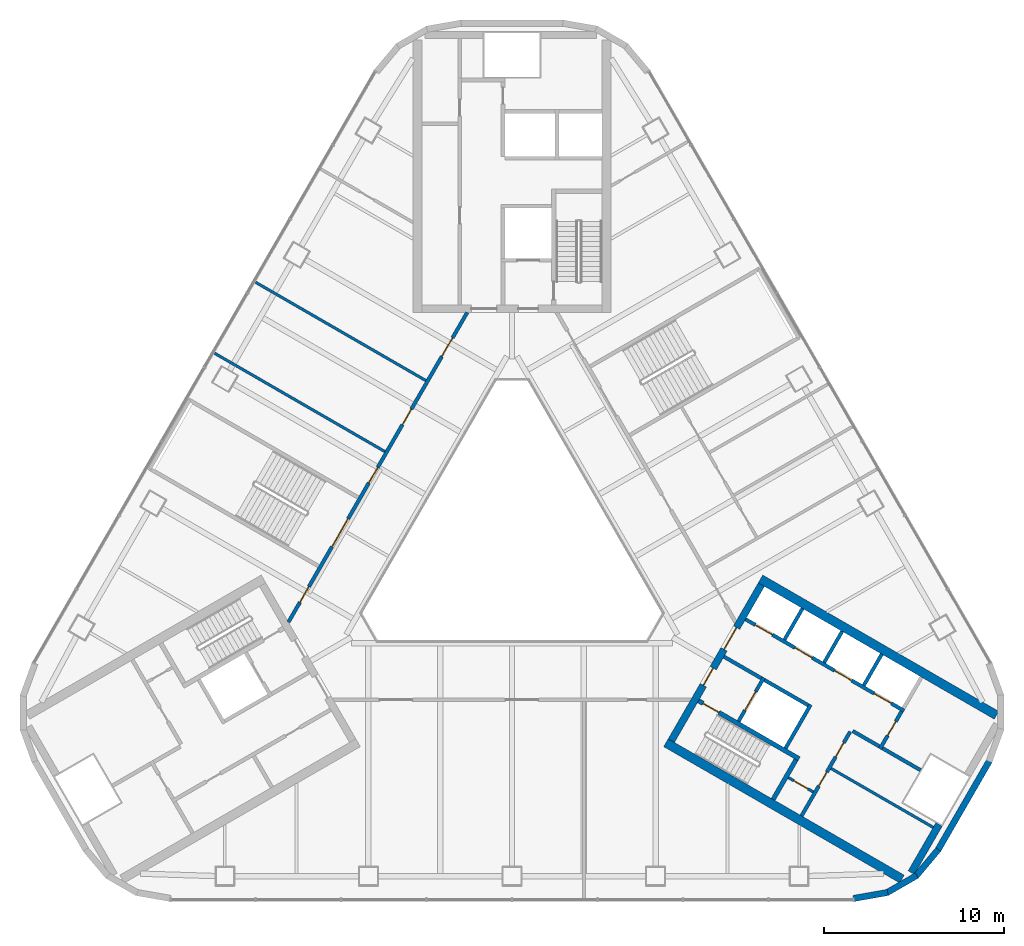
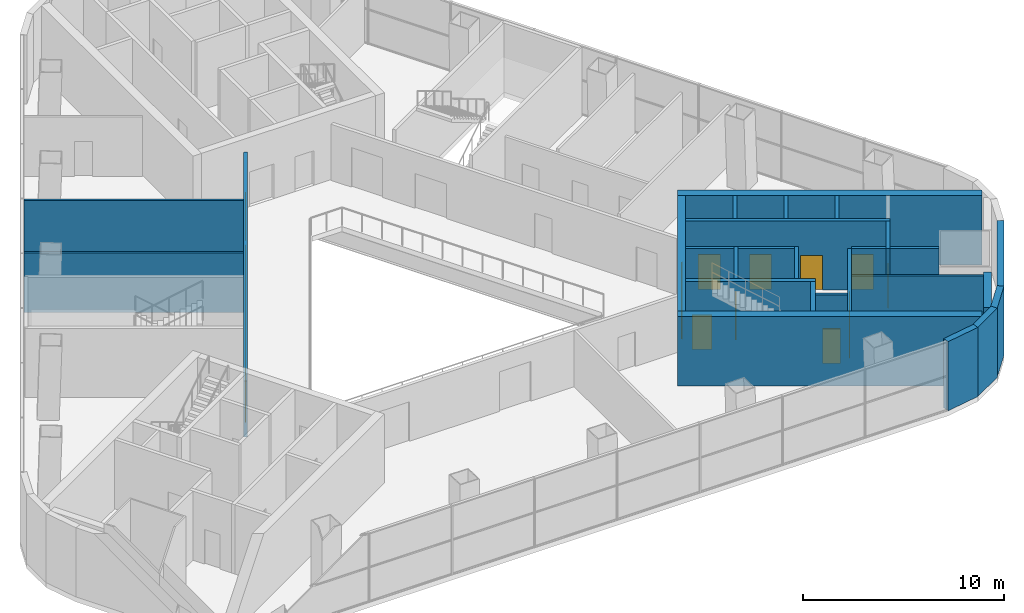
# One storey, part 8 of 12: 27 walls, 17 doors, 17 openings.
"""IFC4 building model written with IfcOpenShell, lengths in metres."""

from ifc_helpers import new_model, si_unit, direction, frame, frame_2d, origin, place, context, subcontext, project, spatial, rectangle, extrude, material, layer, layer_set, type_object, element, fill, save


model = new_model("IFC4")

# Units and contexts
model_context = context("Model", 3, precision=1e-05, world=origin(), true_north=direction((0.0, 1.0)))
body_context = subcontext(model_context, "Body", "Model", "MODEL_VIEW")
ifc_project = project(units=[si_unit("LENGTHUNIT", "METRE"), si_unit("AREAUNIT", "SQUARE_METRE"), si_unit("VOLUMEUNIT", "CUBIC_METRE"), si_unit("PLANEANGLEUNIT", "RADIAN"), si_unit("MASSUNIT", "GRAM", prefix="KILO")], contexts=[model_context])

# Site, building, storey
site_placement = place(None, origin())
site = spatial("IfcSite", under=ifc_project, at=site_placement, CompositionType="ELEMENT")
building_placement = place(site_placement, origin())
building = spatial("IfcBuilding", under=site, at=building_placement, Name="Apuvela Tower Hotel", CompositionType="ELEMENT")
storey_placement = place(building_placement, frame((0.0, 0.0, 28.5)))
storey = spatial("IfcBuildingStorey", under=building, at=storey_placement, Name="L04", CompositionType="ELEMENT", Elevation=28.5)

# Wall, openings, doors
ifc_material_1 = material(Name="Concrete C50/60", Category="concrete")
ifc_layer_1 = layer(ifc_material_1, 0.39990234375)
ifc_layer_set_1 = layer_set([ifc_layer_1], Name="COR-WALL-CORE-400")
wall_type_1 = type_object("IfcWallType", Name="COR-WALL-CORE-400", PredefinedType="SHEAR", material=ifc_layer_set_1)
wall_1_placement = place(storey_placement, frame((8.844970703125, -10.880126953125, 0.0), z_axis=(0.0, 0.0, 1.0), x_axis=(0.500004234368, 0.866022959057, 0.0)))
wall_1 = element("IfcWall", 1, at=wall_1_placement, inside=storey, type_object=wall_type_1, Name="Core wall SE", PredefinedType="SHEAR", context=body_context, shape_type="SweptSolid", body=[
    extrude(rectangle(XDim=10.0, YDim=0.39990234375, at=frame_2d((5.0, 0.0))), origin(), (0.0, 0.0, 1.0), 4.199951171875),
])
opening_1_placement = place(wall_1_placement, frame((3.550048828125, 0.0, 0.0)))
opening_1 = element("IfcOpeningElement", 2, at=opening_1_placement, cuts=wall_1, Name="Opening E-FD", PredefinedType="OPENING", context=body_context, shape_type="SweptSolid", body=[
    extrude(rectangle(XDim=1.10009765625, YDim=2.10009765625, at=frame_2d((0.550048828125, 1.050048828125))), frame((0.0, 0.2099609375, 0.0), z_axis=(0.0, -1.0, 0.0), x_axis=(1.0, 0.0, 0.0)), (0.0, 0.0, 1.0), 0.419921875),
])
opening_2_placement = place(wall_1_placement, frame((5.85009765625, 0.0, 0.0)))
opening_2 = element("IfcOpeningElement", 3, at=opening_2_placement, cuts=wall_1, Name="Opening E-GD", PredefinedType="OPENING", context=body_context, shape_type="SweptSolid", body=[
    extrude(rectangle(XDim=1.39990234375, YDim=2.10009765625, at=frame_2d((0.699951171875, 1.050048828125))), frame((0.0, 0.2099609375, 0.0), z_axis=(0.0, -1.0, 0.0), x_axis=(1.0, 0.0, 0.0)), (0.0, 0.0, 1.0), 0.419921875),
])
ifc_material_2 = material(Name="Steel fire door, powder coated", Category="steel")
door_type_1 = type_object("IfcDoorType", Name="COR-FD-1100", OperationType="NOTDEFINED", PredefinedType="DOOR", material=ifc_material_2)
door_1_placement = place(opening_1_placement, frame((1.10009765625, 0.0, 0.0), z_axis=(0.0, 0.0, 1.0), x_axis=(-1.0, 0.0, 0.0)))
door_1 = element("IfcDoor", 4, at=door_1_placement, inside=storey, type_object=door_type_1, Name="Firefighting lobby door E-FD", OperationType="SINGLE_SWING_LEFT", OverallHeight=2.10009765625, OverallWidth=1.10009765625, PredefinedType="DOOR", context=body_context, shape_type="SweptSolid", body=[
    extrude(rectangle(XDim=1.10009765625, YDim=2.10009765625, at=frame_2d((0.550048828125, 1.050048828125))), frame((0.0, 0.02490234375, 0.0), z_axis=(0.0, -1.0, 0.0), x_axis=(1.0, 0.0, 0.0)), (0.0, 0.0, 1.0), 0.050048828125),
])
fill(opening_1, door_1)
ifc_material_3 = material(Name="Glazed steel fire door", Category="steel")
door_type_2 = type_object("IfcDoorType", Name="COR-GD-1400", OperationType="DOUBLE_DOOR_SINGLE_SWING", PredefinedType="DOOR", material=ifc_material_3)
door_2_placement = place(opening_2_placement, frame((1.39990234375, 0.0, 0.0), z_axis=(0.0, 0.0, 1.0), x_axis=(-1.0, 0.0, 0.0)))
door_2 = element("IfcDoor", 5, at=door_2_placement, inside=storey, type_object=door_type_2, Name="Lift lobby door E-GD", OperationType="DOUBLE_DOOR_SINGLE_SWING", OverallHeight=2.10009765625, OverallWidth=1.39990234375, PredefinedType="DOOR", context=body_context, shape_type="SweptSolid", body=[
    extrude(rectangle(XDim=1.39990234375, YDim=2.10009765625, at=frame_2d((0.699951171875, 1.050048828125))), frame((0.0, 0.02490234375, 0.0), z_axis=(0.0, -1.0, 0.0), x_axis=(1.0, 0.0, 0.0)), (0.0, 0.0, 1.0), 0.050048828125),
])
fill(opening_2, door_2)

# Walls
wall_2_placement = place(storey_placement, frame((22.16845703125, -18.202880859375, 0.0), z_axis=(0.0, 0.0, 1.0), x_axis=(0.500026652407, 0.866010015463, 0.0)))
element("IfcWall", 6, at=wall_2_placement, inside=storey, type_object=wall_type_1, Name="Core wall SE", PredefinedType="SHEAR", context=body_context, shape_type="SweptSolid", body=[
    extrude(rectangle(XDim=3.079833984375, YDim=0.39990234375, at=frame_2d((1.5400390625, 0.0))), origin(), (0.0, 0.0, 1.0), 4.199951171875),
])
ifc_layer_2 = layer(ifc_material_1, 0.5)
ifc_layer_set_2 = layer_set([ifc_layer_2], Name="COR-WALL-CORE-500")
wall_type_2 = type_object("IfcWallType", Name="COR-WALL-CORE-500", PredefinedType="SHEAR", material=ifc_layer_set_2)
for number, where, z_axis, x_axis, name in (
    (7, (8.546630859375, -10.99658203125, 0.0), (0.0, 0.0, 1.0), (0.866025168306, -0.500000407861, 0.0), "Core wall SE"),
    (8, (13.796630859375, -1.9033203125, 0.0), (0.0, 0.0, 1.0), (0.866025168306, -0.500000407861, 0.0), "Core wall SE"),
):
    element("IfcWall", number, at=place(storey_placement, frame(where, z_axis=z_axis, x_axis=x_axis)), inside=storey, type_object=wall_type_2, Name=name, PredefinedType="SHEAR", context=body_context, shape_type="SweptSolid", body=[
        extrude(rectangle(XDim=15.13037109375, YDim=0.5, at=frame_2d((7.565185546875, 0.0))), origin(), (0.0, 0.0, 1.0), 4.199951171875),
    ])

# Wall, opening, door
ifc_material_4 = material(Name="Blockwork 150 mm plastered", Category="masonry")
ifc_layer_3 = layer(ifc_material_4, 0.14990234375)
ifc_layer_set_3 = layer_set([ifc_layer_3], Name="COR-WALL-PART-150")
wall_type_3 = type_object("IfcWallType", Name="COR-WALL-PART-150", PredefinedType="PARTITIONING", material=ifc_layer_set_3)
wall_3_placement = place(storey_placement, frame((15.341552734375, -12.927734375, 0.0), z_axis=(0.0, 0.0, 1.0), x_axis=(0.865989903783, -0.500061482766, 0.0)))
wall_3 = element("IfcWall", 9, at=wall_3_placement, inside=storey, type_object=wall_type_3, Name="Partition SE", PredefinedType="PARTITIONING", context=body_context, shape_type="SweptSolid", body=[
    extrude(rectangle(XDim=1.599853515625, YDim=0.14990234375, at=frame_2d((0.7998046875, 0.0))), origin(), (0.0, 0.0, 1.0), 4.199951171875),
])
opening_3_placement = place(wall_3_placement, frame((0.35009765625, 0.0, 0.0)))
opening_3 = element("IfcOpeningElement", 10, at=opening_3_placement, cuts=wall_3, Name="Opening E-RD", PredefinedType="OPENING", context=body_context, shape_type="SweptSolid", body=[
    extrude(rectangle(XDim=0.89990234375, YDim=2.10009765625, at=frame_2d((0.449951171875, 1.050048828125))), frame((0.0, 0.0849609375, 0.0), z_axis=(0.0, -1.0, 0.0), x_axis=(1.0, 0.0, 0.0)), (0.0, 0.0, 1.0), 0.169921875),
])
ifc_material_5 = material(Name="Steel access door, powder coated", Category="steel")
door_type_3 = type_object("IfcDoorType", Name="COR-RD-900", OperationType="NOTDEFINED", PredefinedType="DOOR", material=ifc_material_5)
door_3_placement = place(opening_3_placement, frame((0.89990234375, 0.0, 0.0), z_axis=(0.0, 0.0, 1.0), x_axis=(-1.0, 0.0, 0.0)))
door_3 = element("IfcDoor", 11, at=door_3_placement, inside=storey, type_object=door_type_3, Name="Riser door E-RD", OperationType="SINGLE_SWING_LEFT", OverallHeight=2.10009765625, OverallWidth=0.89990234375, PredefinedType="DOOR", context=body_context, shape_type="SweptSolid", body=[
    extrude(rectangle(XDim=0.89990234375, YDim=2.10009765625, at=frame_2d((0.449951171875, 1.050048828125))), frame((0.0, 0.02490234375, 0.0), z_axis=(0.0, -1.0, 0.0), x_axis=(1.0, 0.0, 0.0)), (0.0, 0.0, 1.0), 0.050048828125),
])
fill(opening_3, door_3)

# Wall
wall_4_placement = place(storey_placement, frame((17.712890625, -12.42041015625, 0.0), z_axis=(0.0, 0.0, 1.0), x_axis=(0.866027924134, -0.499995634601, 0.0)))
element("IfcWall", 12, at=wall_4_placement, inside=storey, type_object=wall_type_3, Name="Partition SE", PredefinedType="PARTITIONING", context=body_context, shape_type="SweptSolid", body=[
    extrude(rectangle(XDim=6.5498046875, YDim=0.14990234375, at=frame_2d((3.27490234375, 0.0))), origin(), (0.0, 0.0, 1.0), 4.199951171875),
])

# Wall, openings, doors
ifc_material_6 = material(Name="Blockwork 200 mm plastered", Category="masonry")
ifc_layer_4 = layer(ifc_material_6, 0.199951171875)
ifc_layer_set_4 = layer_set([ifc_layer_4], Name="COR-WALL-PART-200")
wall_type_4 = type_object("IfcWallType", Name="COR-WALL-PART-200", PredefinedType="PARTITIONING", material=ifc_layer_set_4)
wall_5_placement = place(storey_placement, frame((16.076171875, -15.05517578125, 0.0), z_axis=(0.0, 0.0, 1.0), x_axis=(0.499995103361, 0.866028230842, 0.0)))
wall_5 = element("IfcWall", 13, at=wall_5_placement, inside=storey, type_object=wall_type_4, Name="Partition SE", PredefinedType="PARTITIONING", context=body_context, shape_type="SweptSolid", body=[
    extrude(rectangle(XDim=5.39990234375, YDim=0.199951171875, at=frame_2d((2.699951171875, 0.0))), origin(), (0.0, 0.0, 1.0), 4.199951171875),
])
opening_4_placement = place(wall_5_placement, frame((1.91259765625, 0.0, 0.0)))
opening_4 = element("IfcOpeningElement", 14, at=opening_4_placement, cuts=wall_5, Name="Opening E-RS1", PredefinedType="OPENING", context=body_context, shape_type="SweptSolid", body=[
    extrude(rectangle(XDim=0.89990234375, YDim=2.10009765625, at=frame_2d((0.449951171875, 1.050048828125))), frame((0.0, 0.10986328125, 0.0), z_axis=(0.0, -1.0, 0.0), x_axis=(1.0, 0.0, 0.0)), (0.0, 0.0, 1.0), 0.219970703125),
])
opening_5_placement = place(wall_5_placement, frame((3.78759765625, 0.0, 0.0)))
opening_5 = element("IfcOpeningElement", 15, at=opening_5_placement, cuts=wall_5, Name="Opening E-RS2", PredefinedType="OPENING", context=body_context, shape_type="SweptSolid", body=[
    extrude(rectangle(XDim=0.89990234375, YDim=2.10009765625, at=frame_2d((0.449951171875, 1.050048828125))), frame((0.0, 0.10986328125, 0.0), z_axis=(0.0, -1.0, 0.0), x_axis=(1.0, 0.0, 0.0)), (0.0, 0.0, 1.0), 0.219970703125),
])
door_type_4 = type_object("IfcDoorType", Name="COR-DR-900", OperationType="NOTDEFINED", PredefinedType="DOOR", material=ifc_material_2)
door_4_placement = place(opening_4_placement, frame((0.89990234375, 0.0, 0.0), z_axis=(0.0, 0.0, 1.0), x_axis=(-1.0, 0.0, 0.0)))
door_4 = element("IfcDoor", 16, at=door_4_placement, inside=storey, type_object=door_type_4, Name="Store door E-RS1", OperationType="SINGLE_SWING_LEFT", OverallHeight=2.10009765625, OverallWidth=0.89990234375, PredefinedType="DOOR", context=body_context, shape_type="SweptSolid", body=[
    extrude(rectangle(XDim=0.89990234375, YDim=2.10009765625, at=frame_2d((0.449951171875, 1.050048828125))), frame((0.0, 0.02490234375, 0.0), z_axis=(0.0, -1.0, 0.0), x_axis=(1.0, 0.0, 0.0)), (0.0, 0.0, 1.0), 0.050048828125),
])
fill(opening_4, door_4)
door_5_placement = place(opening_5_placement, frame((0.89990234375, 0.0, 0.0), z_axis=(0.0, 0.0, 1.0), x_axis=(-1.0, 0.0, 0.0)))
door_5 = element("IfcDoor", 17, at=door_5_placement, inside=storey, type_object=door_type_4, Name="Store door E-RS2", OperationType="SINGLE_SWING_LEFT", OverallHeight=2.10009765625, OverallWidth=0.89990234375, PredefinedType="DOOR", context=body_context, shape_type="SweptSolid", body=[
    extrude(rectangle(XDim=0.89990234375, YDim=2.10009765625, at=frame_2d((0.449951171875, 1.050048828125))), frame((0.0, 0.02490234375, 0.0), z_axis=(0.0, -1.0, 0.0), x_axis=(1.0, 0.0, 0.0)), (0.0, 0.0, 1.0), 0.050048828125),
])
fill(opening_5, door_5)

# Wall
ifc_layer_5 = layer(ifc_material_1, 0.199951171875)
ifc_layer_set_5 = layer_set([ifc_layer_5], Name="COR-WALL-SHAFT-200")
wall_type_5 = type_object("IfcWallType", Name="COR-WALL-SHAFT-200", PredefinedType="SHEAR", material=ifc_layer_set_5)
wall_6_placement = place(storey_placement, frame((15.181396484375, -11.305419921875, 0.0), z_axis=(0.0, 0.0, 1.0), x_axis=(0.49994636267, 0.866056369097, 0.0)))
element("IfcWall", 18, at=wall_6_placement, inside=storey, type_object=wall_type_5, Name="Shaft wall SE", PredefinedType="SHEAR", context=body_context, shape_type="SweptSolid", body=[
    extrude(rectangle(XDim=2.800048828125, YDim=0.199951171875, at=frame_2d((1.39990234375, 0.0))), origin(), (0.0, 0.0, 1.0), 4.199951171875),
])

# Wall, opening, door
wall_7_placement = place(storey_placement, frame((12.583251953125, -9.805419921875, 0.0), z_axis=(0.0, 0.0, 1.0), x_axis=(0.49994636267, 0.866056369097, 0.0)))
wall_7 = element("IfcWall", 19, at=wall_7_placement, inside=storey, type_object=wall_type_5, Name="Shaft wall SE", PredefinedType="SHEAR", context=body_context, shape_type="SweptSolid", body=[
    extrude(rectangle(XDim=2.800048828125, YDim=0.199951171875, at=frame_2d((1.39990234375, 0.0))), origin(), (0.0, 0.0, 1.0), 4.199951171875),
])
opening_6_placement = place(wall_7_placement, frame((0.699951171875, 0.0, 0.0)))
opening_6 = element("IfcOpeningElement", 20, at=opening_6_placement, cuts=wall_7, Name="Opening E-LD-FS3", PredefinedType="OPENING", context=body_context, shape_type="SweptSolid", body=[
    extrude(rectangle(XDim=1.199951171875, YDim=2.10009765625, at=frame_2d((0.60009765625, 1.050048828125))), frame((0.0, 0.10986328125, 0.0), z_axis=(0.0, -1.0, 0.0), x_axis=(1.0, 0.0, 0.0)), (0.0, 0.0, 1.0), 0.219970703125),
])
ifc_material_7 = material(Name="Stainless steel lift landing door", Category="steel")
door_type_5 = type_object("IfcDoorType", Name="COR-LD-1200", OperationType="DOUBLE_DOOR_SLIDING", PredefinedType="DOOR", material=ifc_material_7)
door_6_placement = place(opening_6_placement, origin())
door_6 = element("IfcDoor", 21, at=door_6_placement, inside=storey, type_object=door_type_5, Name="Lift landing door E-LD-FS3", OperationType="DOUBLE_DOOR_SLIDING", OverallHeight=2.10009765625, OverallWidth=1.199951171875, PredefinedType="DOOR", context=body_context, shape_type="SweptSolid", body=[
    extrude(rectangle(XDim=1.199951171875, YDim=2.10009765625, at=frame_2d((0.60009765625, 1.050048828125))), frame((0.0, 0.02490234375, 0.0), z_axis=(0.0, -1.0, 0.0), x_axis=(1.0, 0.0, 0.0)), (0.0, 0.0, 1.0), 0.050048828125),
])
fill(opening_6, door_6)

# Walls
wall_8_placement = place(storey_placement, frame((11.76806640625, -6.217041015625, 0.0), z_axis=(0.0, 0.0, 1.0), x_axis=(0.866050077142, -0.499957262057, 0.0)))
element("IfcWall", 22, at=wall_8_placement, inside=storey, type_object=wall_type_5, Name="Shaft wall SE", PredefinedType="SHEAR", context=body_context, shape_type="SweptSolid", body=[
    extrude(rectangle(XDim=2.400146484375, YDim=0.199951171875, at=frame_2d((1.2001953125, 0.0))), origin(), (0.0, 0.0, 1.0), 4.199951171875),
])
wall_9_placement = place(storey_placement, frame((14.019775390625, -7.51708984375, 0.0), z_axis=(0.0, 0.0, 1.0), x_axis=(0.866034573852, -0.49998411664, 0.0)))
element("IfcWall", 23, at=wall_9_placement, inside=storey, type_object=wall_type_5, Name="Shaft wall SE", PredefinedType="SHEAR", context=body_context, shape_type="SweptSolid", body=[
    extrude(rectangle(XDim=2.7998046875, YDim=0.199951171875, at=frame_2d((1.39990234375, 0.0))), origin(), (0.0, 0.0, 1.0), 4.199951171875),
])

# Wall, openings, doors
wall_10_placement = place(storey_placement, frame((12.968017578125, -4.138427734375, 0.0), z_axis=(0.0, 0.0, 1.0), x_axis=(0.866028328073, -0.49999493495, 0.0)))
wall_10 = element("IfcWall", 24, at=wall_10_placement, inside=storey, type_object=wall_type_5, Name="Shaft wall SE", PredefinedType="SHEAR", context=body_context, shape_type="SweptSolid", body=[
    extrude(rectangle(XDim=10.16015625, YDim=0.199951171875, at=frame_2d((5.080078125, 0.0))), origin(), (0.0, 0.0, 1.0), 4.199951171875),
])
opening_7_placement = place(wall_10_placement, frame((0.6201171875, 0.0, 0.0)))
opening_7 = element("IfcOpeningElement", 25, at=opening_7_placement, cuts=wall_10, Name="Opening E-LD-LR1", PredefinedType="OPENING", context=body_context, shape_type="SweptSolid", body=[
    extrude(rectangle(XDim=1.10009765625, YDim=2.10009765625, at=frame_2d((0.550048828125, 1.050048828125))), frame((0.0, 0.10986328125, 0.0), z_axis=(0.0, -1.0, 0.0), x_axis=(1.0, 0.0, 0.0)), (0.0, 0.0, 1.0), 0.219970703125),
])
opening_8_placement = place(wall_10_placement, frame((3.159912109375, 0.0, 0.0)))
opening_8 = element("IfcOpeningElement", 26, at=opening_8_placement, cuts=wall_10, Name="Opening E-LD-LR2", PredefinedType="OPENING", context=body_context, shape_type="SweptSolid", body=[
    extrude(rectangle(XDim=1.10009765625, YDim=2.10009765625, at=frame_2d((0.550048828125, 1.050048828125))), frame((0.0, 0.10986328125, 0.0), z_axis=(0.0, -1.0, 0.0), x_axis=(1.0, 0.0, 0.0)), (0.0, 0.0, 1.0), 0.219970703125),
])
opening_9_placement = place(wall_10_placement, frame((5.699951171875, 0.0, 0.0)))
opening_9 = element("IfcOpeningElement", 27, at=opening_9_placement, cuts=wall_10, Name="Opening E-LD-LR3", PredefinedType="OPENING", context=body_context, shape_type="SweptSolid", body=[
    extrude(rectangle(XDim=1.10009765625, YDim=2.10009765625, at=frame_2d((0.550048828125, 1.050048828125))), frame((0.0, 0.10986328125, 0.0), z_axis=(0.0, -1.0, 0.0), x_axis=(1.0, 0.0, 0.0)), (0.0, 0.0, 1.0), 0.219970703125),
])
opening_10_placement = place(wall_10_placement, frame((8.239990234375, 0.0, 0.0)))
opening_10 = element("IfcOpeningElement", 28, at=opening_10_placement, cuts=wall_10, Name="Opening E-LD-LR4", PredefinedType="OPENING", context=body_context, shape_type="SweptSolid", body=[
    extrude(rectangle(XDim=1.10009765625, YDim=2.10009765625, at=frame_2d((0.550048828125, 1.050048828125))), frame((0.0, 0.10986328125, 0.0), z_axis=(0.0, -1.0, 0.0), x_axis=(1.0, 0.0, 0.0)), (0.0, 0.0, 1.0), 0.219970703125),
])
door_type_6 = type_object("IfcDoorType", Name="COR-LD-1100", OperationType="DOUBLE_DOOR_SLIDING", PredefinedType="DOOR", material=ifc_material_7)
door_7_placement = place(opening_7_placement, origin())
door_7 = element("IfcDoor", 29, at=door_7_placement, inside=storey, type_object=door_type_6, Name="Lift landing door E-LD-LR1", OperationType="DOUBLE_DOOR_SLIDING", OverallHeight=2.10009765625, OverallWidth=1.10009765625, PredefinedType="DOOR", context=body_context, shape_type="SweptSolid", body=[
    extrude(rectangle(XDim=1.10009765625, YDim=2.10009765625, at=frame_2d((0.550048828125, 1.050048828125))), frame((0.0, 0.02490234375, 0.0), z_axis=(0.0, -1.0, 0.0), x_axis=(1.0, 0.0, 0.0)), (0.0, 0.0, 1.0), 0.050048828125),
])
fill(opening_7, door_7)
door_8_placement = place(opening_8_placement, origin())
door_8 = element("IfcDoor", 30, at=door_8_placement, inside=storey, type_object=door_type_6, Name="Lift landing door E-LD-LR2", OperationType="DOUBLE_DOOR_SLIDING", OverallHeight=2.10009765625, OverallWidth=1.10009765625, PredefinedType="DOOR", context=body_context, shape_type="SweptSolid", body=[
    extrude(rectangle(XDim=1.10009765625, YDim=2.10009765625, at=frame_2d((0.550048828125, 1.050048828125))), frame((0.0, 0.02490234375, 0.0), z_axis=(0.0, -1.0, 0.0), x_axis=(1.0, 0.0, 0.0)), (0.0, 0.0, 1.0), 0.050048828125),
])
fill(opening_8, door_8)
door_9_placement = place(opening_9_placement, origin())
door_9 = element("IfcDoor", 31, at=door_9_placement, inside=storey, type_object=door_type_6, Name="Lift landing door E-LD-LR3", OperationType="DOUBLE_DOOR_SLIDING", OverallHeight=2.10009765625, OverallWidth=1.10009765625, PredefinedType="DOOR", context=body_context, shape_type="SweptSolid", body=[
    extrude(rectangle(XDim=1.10009765625, YDim=2.10009765625, at=frame_2d((0.550048828125, 1.050048828125))), frame((0.0, 0.02490234375, 0.0), z_axis=(0.0, -1.0, 0.0), x_axis=(1.0, 0.0, 0.0)), (0.0, 0.0, 1.0), 0.050048828125),
])
fill(opening_9, door_9)
door_10_placement = place(opening_10_placement, origin())
door_10 = element("IfcDoor", 32, at=door_10_placement, inside=storey, type_object=door_type_6, Name="Lift landing door E-LD-LR4", OperationType="DOUBLE_DOOR_SLIDING", OverallHeight=2.10009765625, OverallWidth=1.10009765625, PredefinedType="DOOR", context=body_context, shape_type="SweptSolid", body=[
    extrude(rectangle(XDim=1.10009765625, YDim=2.10009765625, at=frame_2d((0.550048828125, 1.050048828125))), frame((0.0, 0.02490234375, 0.0), z_axis=(0.0, -1.0, 0.0), x_axis=(1.0, 0.0, 0.0)), (0.0, 0.0, 1.0), 0.050048828125),
])
fill(opening_10, door_10)

# Wall, opening, door
wall_11_placement = place(storey_placement, frame((20.430419921875, -11.33349609375, 0.0), z_axis=(0.0, 0.0, 1.0), x_axis=(0.500001309137, 0.866024647952, 0.0)))
wall_11 = element("IfcWall", 33, at=wall_11_placement, inside=storey, type_object=wall_type_5, Name="Shaft wall SE", PredefinedType="SHEAR", context=body_context, shape_type="SweptSolid", body=[
    extrude(rectangle(XDim=2.39990234375, YDim=0.199951171875, at=frame_2d((1.199951171875, 0.0))), origin(), (0.0, 0.0, 1.0), 4.199951171875),
])
opening_11_placement = place(wall_11_placement, frame((0.85009765625, 0.0, 0.0)))
opening_11 = element("IfcOpeningElement", 34, at=opening_11_placement, cuts=wall_11, Name="Opening E-REP", PredefinedType="OPENING", context=body_context, shape_type="SweptSolid", body=[
    extrude(rectangle(XDim=0.89990234375, YDim=2.10009765625, at=frame_2d((0.449951171875, 1.050048828125))), frame((0.0, 0.10986328125, 0.0), z_axis=(0.0, -1.0, 0.0), x_axis=(1.0, 0.0, 0.0)), (0.0, 0.0, 1.0), 0.219970703125),
])
door_11_placement = place(opening_11_placement, frame((0.89990234375, 0.0, 0.0), z_axis=(0.0, 0.0, 1.0), x_axis=(-1.0, 0.0, 0.0)))
door_11 = element("IfcDoor", 35, at=door_11_placement, inside=storey, type_object=door_type_4, Name="Store door E-REP", OperationType="SINGLE_SWING_RIGHT", OverallHeight=2.10009765625, OverallWidth=0.89990234375, PredefinedType="DOOR", context=body_context, shape_type="SweptSolid", body=[
    extrude(rectangle(XDim=0.89990234375, YDim=2.10009765625, at=frame_2d((0.449951171875, 1.050048828125))), frame((0.0, 0.02490234375, 0.0), z_axis=(0.0, -1.0, 0.0), x_axis=(1.0, 0.0, 0.0)), (0.0, 0.0, 1.0), 0.050048828125),
])
fill(opening_11, door_11)

# Walls
wall_12_placement = place(storey_placement, frame((18.912841796875, -10.342041015625, 0.0), z_axis=(0.0, 0.0, 1.0), x_axis=(0.866038183914, -0.499977863513, 0.0)))
element("IfcWall", 36, at=wall_12_placement, inside=storey, type_object=wall_type_5, Name="Shaft wall SE", PredefinedType="SHEAR", context=body_context, shape_type="SweptSolid", body=[
    extrude(rectangle(XDim=1.7099609375, YDim=0.199951171875, at=frame_2d((0.85498046875, 0.0))), origin(), (0.0, 0.0, 1.0), 4.199951171875),
])
for number, where, z_axis, x_axis, name in (
    (37, (15.131103515625, -5.27197265625, 0.0), (0.0, 0.0, 1.0), (0.499972520799, 0.866041268327, 0.0), "Shaft wall SE"),
    (38, (17.330810546875, -6.5419921875, 0.0), (0.0, 0.0, 1.0), (0.499972520799, 0.866041268327, 0.0), "Shaft wall SE"),
    (39, (19.530517578125, -7.81201171875, 0.0), (0.0, 0.0, 1.0), (0.499972520799, 0.866041268327, 0.0), "Shaft wall SE"),
):
    element("IfcWall", number, at=place(storey_placement, frame(where, z_axis=z_axis, x_axis=x_axis)), inside=storey, type_object=wall_type_5, Name=name, PredefinedType="SHEAR", context=body_context, shape_type="SweptSolid", body=[
        extrude(rectangle(XDim=2.0, YDim=0.199951171875, at=frame_2d((1.0, 0.0))), origin(), (0.0, 0.0, 1.0), 4.199951171875),
    ])
wall_13_placement = place(storey_placement, frame((20.56689453125, -11.297119140625, 0.0), z_axis=(0.0, 0.0, 1.0), x_axis=(0.866048967903, -0.499959183527, 0.0)))
element("IfcWall", 40, at=wall_13_placement, inside=storey, type_object=wall_type_5, Name="Shaft wall SE", PredefinedType="SHEAR", context=body_context, shape_type="SweptSolid", body=[
    extrude(rectangle(XDim=2.440185546875, YDim=0.199951171875, at=frame_2d((1.22021484375, 0.0))), origin(), (0.0, 0.0, 1.0), 4.199951171875),
])

# Wall, opening, door
ifc_layer_6 = layer(ifc_material_1, 0.25)
ifc_layer_set_6 = layer_set([ifc_layer_6], Name="COR-WALL-STAIR-250")
wall_type_6 = type_object("IfcWallType", Name="COR-WALL-STAIR-250", PredefinedType="SHEAR", material=ifc_layer_set_6)
wall_14_placement = place(storey_placement, frame((10.355712890625, -8.66357421875, 0.0), z_axis=(0.0, 0.0, 1.0), x_axis=(0.866028629588, -0.499994412703, 0.0)))
wall_14 = element("IfcWall", 41, at=wall_14_placement, inside=storey, type_object=wall_type_6, Name="Stair wall SE", PredefinedType="SHEAR", context=body_context, shape_type="SweptSolid", body=[
    extrude(rectangle(XDim=6.44970703125, YDim=0.25, at=frame_2d((3.224853515625, 0.0))), origin(), (0.0, 0.0, 1.0), 4.199951171875),
])
opening_12_placement = place(wall_14_placement, frame((0.300048828125, 0.0, 0.0)))
opening_12 = element("IfcOpeningElement", 42, at=opening_12_placement, cuts=wall_14, Name="Opening E-SD", PredefinedType="OPENING", context=body_context, shape_type="SweptSolid", body=[
    extrude(rectangle(XDim=1.0, YDim=2.10009765625, at=frame_2d((0.5, 1.050048828125))), frame((0.0, 0.135009765625, 0.0), z_axis=(0.0, -1.0, 0.0), x_axis=(1.0, 0.0, 0.0)), (0.0, 0.0, 1.0), 0.27001953125),
])
door_type_7 = type_object("IfcDoorType", Name="COR-SD-1000", OperationType="NOTDEFINED", PredefinedType="DOOR", material=ifc_material_2)
door_12_placement = place(opening_12_placement, frame((1.0, 0.0, 0.0), z_axis=(0.0, 0.0, 1.0), x_axis=(-1.0, 0.0, 0.0)))
door_12 = element("IfcDoor", 43, at=door_12_placement, inside=storey, type_object=door_type_7, Name="Stair door E-SD", OperationType="SINGLE_SWING_LEFT", OverallHeight=2.10009765625, OverallWidth=1.0, PredefinedType="DOOR", context=body_context, shape_type="SweptSolid", body=[
    extrude(rectangle(XDim=1.0, YDim=2.10009765625, at=frame_2d((0.5, 1.050048828125))), frame((0.0, 0.02490234375, 0.0), z_axis=(0.0, -1.0, 0.0), x_axis=(1.0, 0.0, 0.0)), (0.0, 0.0, 1.0), 0.050048828125),
])
fill(opening_12, door_12)

# Walls
wall_15_placement = place(storey_placement, frame((14.49560546875, -14.142578125, 0.0), z_axis=(0.0, 0.0, 1.0), x_axis=(0.500062241894, 0.865989465428, 0.0)))
element("IfcWall", 44, at=wall_15_placement, inside=storey, type_object=wall_type_6, Name="Stair wall SE", PredefinedType="SHEAR", context=body_context, shape_type="SweptSolid", body=[
    extrude(rectangle(XDim=2.550048828125, YDim=0.25, at=frame_2d((1.27490234375, 0.0))), origin(), (0.0, 0.0, 1.0), 4.199951171875),
])
ifc_material_8 = material(Name="Concrete C40/50, dark pigmented precast panel", Category="concrete")
ifc_layer_7 = layer(ifc_material_8, 0.35009765625)
ifc_layer_set_7 = layer_set([ifc_layer_7], Name="ENV-WALL-350")
wall_type_7 = type_object("IfcWallType", Name="ENV-WALL-350", PredefinedType="SOLIDWALL", material=ifc_layer_set_7)
for number, where, z_axis, x_axis, name in (
    (45, (18.962158203125, -19.64208984375, 0.0), (0.0, 0.0, 1.0), (0.984792481028, 0.17373476713, 0.0), "External wall L04-16"),
    (46, (20.8037109375, -19.327880859375, 0.0), (0.0, 0.0, 1.0), (0.866052736899, 0.499952654668, 0.0), "External wall L04-17"),
    (47, (22.427001953125, -18.403076171875, 0.0), (0.0, 0.0, 1.0), (0.642746534531, 0.76607890739, 0.0), "External wall L04-18"),
):
    element("IfcWall", number, at=place(storey_placement, frame(where, z_axis=z_axis, x_axis=x_axis)), inside=storey, type_object=wall_type_7, Name=name, PredefinedType="SOLIDWALL", context=body_context, shape_type="SweptSolid", body=[
        extrude(rectangle(XDim=1.927978515625, YDim=0.35009765625, at=frame_2d((0.9638671875, 0.0))), origin(), (0.0, 0.0, 1.0), 4.199951171875),
    ])
wall_16_placement = place(storey_placement, frame((23.648681640625, -16.950927734375, 0.0), z_axis=(0.0, 0.0, 1.0), x_axis=(0.500014776476, 0.866016872414, 0.0)))
element("IfcWall", 48, at=wall_16_placement, inside=storey, type_object=wall_type_7, Name="External wall L04-19", PredefinedType="SOLIDWALL", context=body_context, shape_type="SweptSolid", body=[
    extrude(rectangle(XDim=5.711181640625, YDim=0.35009765625, at=frame_2d((2.85546875, 0.0))), origin(), (0.0, 0.0, 1.0), 4.199951171875),
])

# Wall, openings, doors
ifc_material_9 = material(Name="Fire-rated gypsum board partition on steel stud", Category="steel")
ifc_layer_8 = layer(ifc_material_9, 0.199951171875)
ifc_layer_set_8 = layer_set([ifc_layer_8], Name="SPC-WALL-CORRIDOR")
wall_type_8 = type_object("IfcWallType", Name="SPC-WALL-CORRIDOR", PredefinedType="PARTITIONING", material=ifc_layer_set_8)
wall_17_placement = place(storey_placement, frame((-2.482421875, 12.900146484375, 0.0), z_axis=(0.0, 0.0, 1.0), x_axis=(-0.50000478328, -0.866022642139, 0.0)))
wall_17 = element("IfcWall", 49, at=wall_17_placement, inside=storey, type_object=wall_type_8, Name="Wall L04-NW-CW", PredefinedType="PARTITIONING", context=body_context, shape_type="SweptSolid", body=[
    extrude(rectangle(XDim=19.861083984375, YDim=0.199951171875, at=frame_2d((9.9306640625, 0.0))), origin(), (0.0, 0.0, 1.0), 3.409912109375),
])
opening_13_placement = place(wall_17_placement, frame((13.23046875, 0.0, 0.0)))
opening_13 = element("IfcOpeningElement", 50, at=opening_13_placement, cuts=wall_17, Name="Opening L04-S05", PredefinedType="OPENING", context=body_context, shape_type="SweptSolid", body=[
    extrude(rectangle(XDim=1.800048828125, YDim=2.10009765625, at=frame_2d((0.89990234375, 1.050048828125))), frame((0.0, 0.10986328125, 0.0), z_axis=(0.0, -1.0, 0.0), x_axis=(1.0, 0.0, 0.0)), (0.0, 0.0, 1.0), 0.219970703125),
])
opening_14_placement = place(wall_17_placement, frame((1.633544921875, 0.0, 0.0)))
opening_14 = element("IfcOpeningElement", 51, at=opening_14_placement, cuts=wall_17, Name="Opening L04-S09", PredefinedType="OPENING", context=body_context, shape_type="SweptSolid", body=[
    extrude(rectangle(XDim=1.199951171875, YDim=2.10009765625, at=frame_2d((0.60009765625, 1.050048828125))), frame((0.0, 0.10986328125, 0.0), z_axis=(0.0, -1.0, 0.0), x_axis=(1.0, 0.0, 0.0)), (0.0, 0.0, 1.0), 0.219970703125),
])
opening_15_placement = place(wall_17_placement, frame((6.20556640625, 0.0, 0.0)))
opening_15 = element("IfcOpeningElement", 52, at=opening_15_placement, cuts=wall_17, Name="Opening L04-S11", PredefinedType="OPENING", context=body_context, shape_type="SweptSolid", body=[
    extrude(rectangle(XDim=1.0, YDim=2.10009765625, at=frame_2d((0.5, 1.050048828125))), frame((0.0, 0.10986328125, 0.0), z_axis=(0.0, -1.0, 0.0), x_axis=(1.0, 0.0, 0.0)), (0.0, 0.0, 1.0), 0.219970703125),
])
opening_16_placement = place(wall_17_placement, frame((9.943115234375, 0.0, 0.0)))
opening_16 = element("IfcOpeningElement", 53, at=opening_16_placement, cuts=wall_17, Name="Opening L04-S12", PredefinedType="OPENING", context=body_context, shape_type="SweptSolid", body=[
    extrude(rectangle(XDim=1.0, YDim=2.10009765625, at=frame_2d((0.5, 1.050048828125))), frame((0.0, 0.10986328125, 0.0), z_axis=(0.0, -1.0, 0.0), x_axis=(1.0, 0.0, 0.0)), (0.0, 0.0, 1.0), 0.219970703125),
])
opening_17_placement = place(wall_17_placement, frame((17.590087890625, 0.0, 0.0)))
opening_17 = element("IfcOpeningElement", 54, at=opening_17_placement, cuts=wall_17, Name="Opening L04-S13", PredefinedType="OPENING", context=body_context, shape_type="SweptSolid", body=[
    extrude(rectangle(XDim=1.0, YDim=2.10009765625, at=frame_2d((0.5, 1.050048828125))), frame((0.0, 0.10986328125, 0.0), z_axis=(0.0, -1.0, 0.0), x_axis=(1.0, 0.0, 0.0)), (0.0, 0.0, 1.0), 0.219970703125),
])
ifc_material_10 = material(Name="Fire-rated hardwood veneer door leaf", Category="wood")
door_type_8 = type_object("IfcDoorType", Name="SPC-DOOR-1000-FD", OperationType="NOTDEFINED", PredefinedType="DOOR", material=ifc_material_10)
door_13_placement = place(opening_15_placement, frame((1.0, 0.0, 0.0), z_axis=(0.0, 0.0, 1.0), x_axis=(-1.0, 0.0, 0.0)))
door_13 = element("IfcDoor", 55, at=door_13_placement, inside=storey, type_object=door_type_8, Name="L04-S11", OperationType="SINGLE_SWING_RIGHT", OverallHeight=2.10009765625, OverallWidth=1.0, PredefinedType="DOOR", context=body_context, shape_type="SweptSolid", body=[
    extrude(rectangle(XDim=1.0, YDim=2.10009765625, at=frame_2d((0.5, 1.050048828125))), frame((0.0, 0.02490234375, 0.0), z_axis=(0.0, -1.0, 0.0), x_axis=(1.0, 0.0, 0.0)), (0.0, 0.0, 1.0), 0.050048828125),
])
fill(opening_15, door_13)
door_14_placement = place(opening_16_placement, frame((1.0, 0.0, 0.0), z_axis=(0.0, 0.0, 1.0), x_axis=(-1.0, 0.0, 0.0)))
door_14 = element("IfcDoor", 56, at=door_14_placement, inside=storey, type_object=door_type_8, Name="L04-S12", OperationType="SINGLE_SWING_RIGHT", OverallHeight=2.10009765625, OverallWidth=1.0, PredefinedType="DOOR", context=body_context, shape_type="SweptSolid", body=[
    extrude(rectangle(XDim=1.0, YDim=2.10009765625, at=frame_2d((0.5, 1.050048828125))), frame((0.0, 0.02490234375, 0.0), z_axis=(0.0, -1.0, 0.0), x_axis=(1.0, 0.0, 0.0)), (0.0, 0.0, 1.0), 0.050048828125),
])
fill(opening_16, door_14)
door_15_placement = place(opening_17_placement, frame((1.0, 0.0, 0.0), z_axis=(0.0, 0.0, 1.0), x_axis=(-1.0, 0.0, 0.0)))
door_15 = element("IfcDoor", 57, at=door_15_placement, inside=storey, type_object=door_type_8, Name="L04-S13", OperationType="SINGLE_SWING_LEFT", OverallHeight=2.10009765625, OverallWidth=1.0, PredefinedType="DOOR", context=body_context, shape_type="SweptSolid", body=[
    extrude(rectangle(XDim=1.0, YDim=2.10009765625, at=frame_2d((0.5, 1.050048828125))), frame((0.0, 0.02490234375, 0.0), z_axis=(0.0, -1.0, 0.0), x_axis=(1.0, 0.0, 0.0)), (0.0, 0.0, 1.0), 0.050048828125),
])
fill(opening_17, door_15)
door_type_9 = type_object("IfcDoorType", Name="SPC-DOOR-1200-FD", OperationType="NOTDEFINED", PredefinedType="DOOR", material=ifc_material_10)
door_16_placement = place(opening_14_placement, origin())
door_16 = element("IfcDoor", 58, at=door_16_placement, inside=storey, type_object=door_type_9, Name="L04-S09", OperationType="SINGLE_SWING_LEFT", OverallHeight=2.10009765625, OverallWidth=1.199951171875, PredefinedType="DOOR", context=body_context, shape_type="SweptSolid", body=[
    extrude(rectangle(XDim=1.199951171875, YDim=2.10009765625, at=frame_2d((0.60009765625, 1.050048828125))), frame((0.0, 0.02490234375, 0.0), z_axis=(0.0, -1.0, 0.0), x_axis=(1.0, 0.0, 0.0)), (0.0, 0.0, 1.0), 0.050048828125),
])
fill(opening_14, door_16)
ifc_material_11 = material(Name="Steel fire door leaf", Category="steel")
door_type_10 = type_object("IfcDoorType", Name="SPC-DOOR-1800-STAIR", OperationType="NOTDEFINED", PredefinedType="DOOR", material=ifc_material_11)
door_17_placement = place(opening_13_placement, frame((1.800048828125, 0.0, 0.0), z_axis=(0.0, 0.0, 1.0), x_axis=(-1.0, 0.0, 0.0)))
door_17 = element("IfcDoor", 59, at=door_17_placement, inside=storey, type_object=door_type_10, Name="L04-S05", OperationType="DOUBLE_DOOR_SINGLE_SWING", OverallHeight=2.10009765625, OverallWidth=1.800048828125, PredefinedType="DOOR", context=body_context, shape_type="SweptSolid", body=[
    extrude(rectangle(XDim=1.800048828125, YDim=2.10009765625, at=frame_2d((0.89990234375, 1.050048828125))), frame((0.0, 0.02490234375, 0.0), z_axis=(0.0, -1.0, 0.0), x_axis=(1.0, 0.0, 0.0)), (0.0, 0.0, 1.0), 0.050048828125),
])
fill(opening_13, door_17)

# Walls
ifc_material_12 = material(Name="Gypsum board partition on steel stud", Category="steel")
ifc_layer_9 = layer(ifc_material_12, 0.14990234375)
ifc_layer_set_9 = layer_set([ifc_layer_9], Name="SPC-WALL-PARTITION")
wall_type_9 = type_object("IfcWallType", Name="SPC-WALL-PARTITION", PredefinedType="PARTITIONING", material=ifc_layer_set_9)
for number, where, z_axis, x_axis, name in (
    (60, (-14.236572265625, 14.5703125, 0.0), (0.0, 0.0, 1.0), (0.866022430415, -0.500005149991, 0.0), "Wall L04-NW-P02"),
    (61, (-16.511474609375, 10.6298828125, 0.0), (0.0, 0.0, 1.0), (0.866022430415, -0.500005149991, 0.0), "Wall L04-NW-P03"),
):
    element("IfcWall", number, at=place(storey_placement, frame(where, z_axis=z_axis, x_axis=x_axis)), inside=storey, type_object=wall_type_9, Name=name, PredefinedType="PARTITIONING", context=body_context, shape_type="SweptSolid", body=[
        extrude(rectangle(XDim=10.91455078125, YDim=0.14990234375, at=frame_2d((5.457275390625, 0.0))), origin(), (0.0, 0.0, 1.0), 3.60009765625),
    ])

save(model, "model.ifc")
